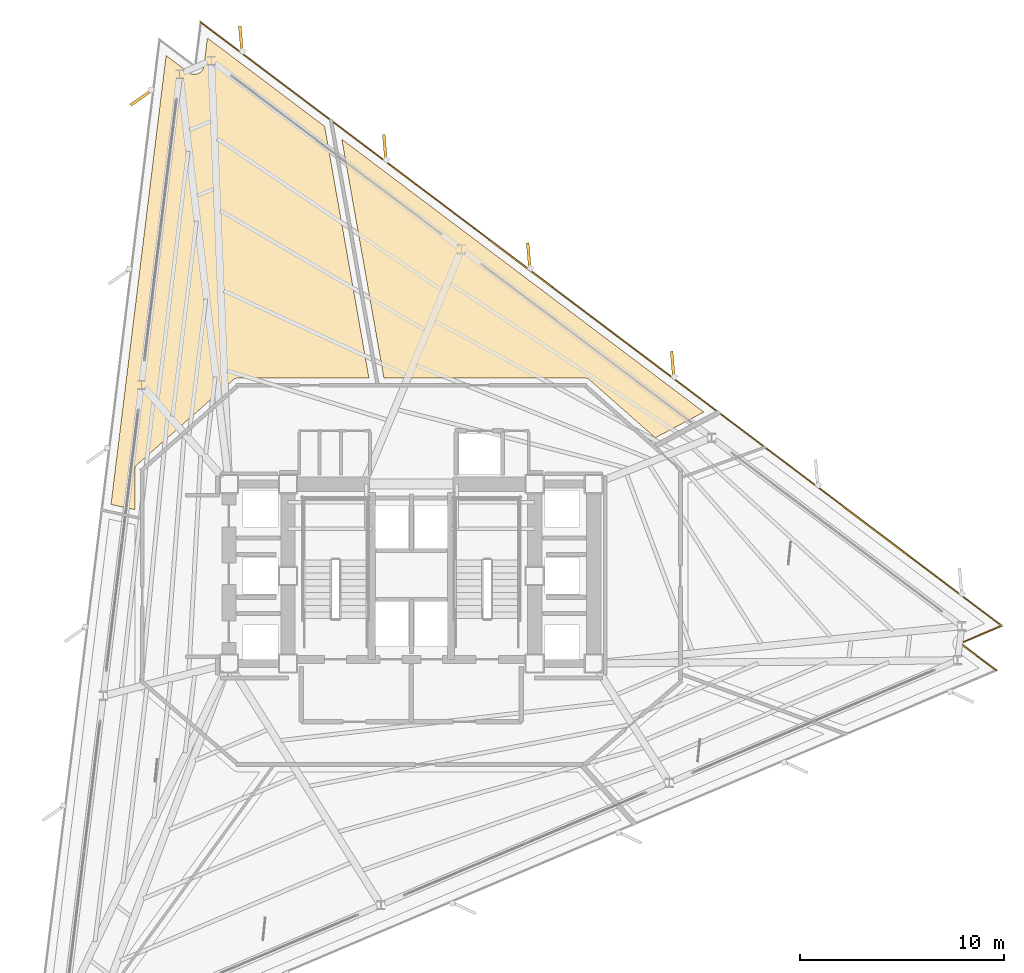
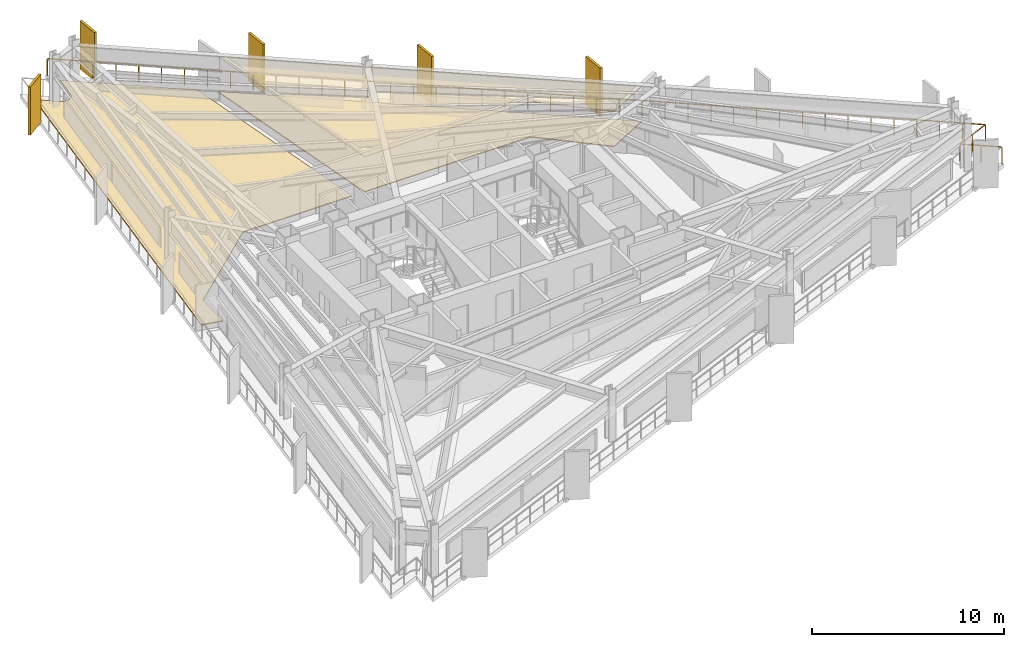
# One storey, part 13 of 13: 5 shading devices, 3 coverings, 1 railing.
"""IFC4 building model written with IfcOpenShell, lengths in metres."""

import ifcopenshell
import ifcopenshell.guid

model = None  # the IFC model being written
_history = None  # IfcOwnerHistory: only IFC2X3 demands one
_inside = {}  # id of a spatial element -> (the spatial element, [elements in it])
_under = {}  # id of a project, library or spatial element -> (it, [spatial elements below it])
_declared = {}  # id of a project -> (the project, [libraries it declares])
_typed = {}  # id of a type object -> (the type object, [elements of that type])
_made_of = {}  # id of a material, layer set ... -> (it, [elements and type objects made of it])


def new_model(schema):
    """Start an empty IFC model of exactly this schema.

    Asked for "IFC4X3", IfcOpenShell would pick the latest addendum, in which some entities
    have other attributes; the version numbers below select the first issue.
    IFC2X3 requires an IfcOwnerHistory on every rooted entity: one is made here for all.
    """
    global model, _history
    if schema == "IFC4X3":
        model = ifcopenshell.file(schema_version=(4, 3, 0, 0))
    else:
        model = ifcopenshell.file(schema=schema)
    _inside.clear()
    _under.clear()
    _declared.clear()
    _typed.clear()
    _made_of.clear()
    _history = None
    if model.schema == "IFC2X3":
        org = make("IfcOrganization", Name="unknown")
        user = make(
            "IfcPersonAndOrganization",
            ThePerson=make("IfcPerson", FamilyName="unknown"),
            TheOrganization=org,
        )
        app = make(
            "IfcApplication",
            ApplicationDeveloper=org,
            Version="unknown",
            ApplicationFullName="unknown",
            ApplicationIdentifier="unknown",
        )
        _history = make(
            "IfcOwnerHistory",
            OwningUser=user,
            OwningApplication=app,
            ChangeAction="ADDED",
            CreationDate=0,
        )
    return model


def make(cls, **values):
    """One entity of the class cls with the attributes given. An attribute that is None is left unset."""
    return model.create_entity(
        cls, **{name: value for name, value in values.items() if value is not None}
    )


def rooted(cls, **values):
    """An entity with a GlobalId (a new one), such as an element, a storey or a relation."""
    return make(cls, GlobalId=ifcopenshell.guid.new(), OwnerHistory=_history, **values)


def si_unit(unit_type, name, prefix=None):
    """IfcSIUnit, for example si_unit("LENGTHUNIT", "METRE", prefix="MILLI")."""
    return make("IfcSIUnit", UnitType=unit_type, Prefix=prefix, Name=name)


def assignment(units):
    """IfcUnitAssignment: the units of a project."""
    return None if units is None else make("IfcUnitAssignment", Units=units)


def point(xyz):
    """IfcCartesianPoint."""
    return None if xyz is None else make("IfcCartesianPoint", Coordinates=xyz)


def direction(xyz):
    """IfcDirection."""
    return None if xyz is None else make("IfcDirection", DirectionRatios=xyz)


def frame(location, z_axis=None, x_axis=None):
    """IfcAxis2Placement3D, a coordinate frame: its origin and axes. An axis left out is left unset."""
    return make(
        "IfcAxis2Placement3D",
        Location=point(location),
        Axis=direction(z_axis),
        RefDirection=direction(x_axis),
    )


def frame_2d(location, x_axis=None):
    """IfcAxis2Placement2D, a coordinate frame in the plane: its origin and x axis."""
    return make(
        "IfcAxis2Placement2D", Location=point(location), RefDirection=direction(x_axis)
    )


def origin():
    """The frame at (0, 0, 0) with its axes left unset."""
    return frame((0.0, 0.0, 0.0))


def origin_2d():
    """The frame at (0, 0) in the plane with its x axis left unset."""
    return frame_2d((0.0, 0.0))


def place(relative_to, where):
    """IfcLocalPlacement: puts the frame where relative to a parent placement (None: the world)."""
    return make(
        "IfcLocalPlacement", PlacementRelTo=relative_to, RelativePlacement=where
    )


def context(
    kind, dimensions, precision=None, world=None, true_north=None, identifier=None
):
    """IfcGeometricRepresentationContext, for example the 3D "Model" context."""
    return make(
        "IfcGeometricRepresentationContext",
        ContextIdentifier=identifier,
        ContextType=kind,
        CoordinateSpaceDimension=dimensions,
        Precision=precision,
        WorldCoordinateSystem=world,
        TrueNorth=true_north,
    )


def subcontext(parent, identifier, kind, view, scale=None):
    """IfcGeometricRepresentationSubContext, for example "Body" below "Model"."""
    return make(
        "IfcGeometricRepresentationSubContext",
        ContextIdentifier=identifier,
        ContextType=kind,
        ParentContext=parent,
        TargetScale=scale,
        TargetView=view,
    )


def project(units=None, contexts=None):
    """IfcProject with its units and contexts."""
    return rooted(
        "IfcProject",
        Name="project",
        RepresentationContexts=contexts,
        UnitsInContext=assignment(units),
    )


def spatial(cls, under=None, at=None, **own):
    """A site, building, storey or space (cls), placed at a placement, below another one or the project."""
    s = rooted(cls, ObjectPlacement=at, **own)
    if under is not None:
        _under.setdefault(under.id(), (under, []))[1].append(s)
    return s


def polyline(points):
    """IfcPolyline through the points."""
    return make("IfcPolyline", Points=[point(p) for p in points])


def profile(cls, at=None, kind="AREA", **sizes):
    """A parametric profile (cls). Its sizes go by their IFC names, for example OverallWidth=200.0."""
    return make(cls, ProfileType=kind, Position=at, **sizes)


def rectangle(**sizes):
    """IfcRectangleProfileDef."""
    return profile("IfcRectangleProfileDef", **sizes)


def outline(outer, holes=None, kind="AREA"):
    """IfcArbitraryClosedProfileDef: a profile drawn as a closed curve; with holes, ...WithVoids."""
    if holes is None:
        return make("IfcArbitraryClosedProfileDef", ProfileType=kind, OuterCurve=outer)
    return make(
        "IfcArbitraryProfileDefWithVoids",
        ProfileType=kind,
        OuterCurve=outer,
        InnerCurves=holes,
    )


def extrude(swept, where, along, depth):
    """IfcExtrudedAreaSolid: the profile swept, set in the frame where, extruded along a direction by depth."""
    return make(
        "IfcExtrudedAreaSolid",
        SweptArea=swept,
        Position=where,
        ExtrudedDirection=direction(along),
        Depth=depth,
    )


def shape(context_of_items, identifier, shape_type, items):
    """IfcShapeRepresentation: the items that make up one representation, for example the "Body"."""
    return make(
        "IfcShapeRepresentation",
        ContextOfItems=context_of_items,
        RepresentationIdentifier=identifier,
        RepresentationType=shape_type,
        Items=items,
    )


def material(Name=None, Category=None):
    """IfcMaterial."""
    return make("IfcMaterial", Name=Name, Category=Category)


def layer(
    of_material, thickness, ventilated=None, Name=None, Category=None, Priority=None
):
    """IfcMaterialLayer: one layer of a wall or slab, of a material (None: an air gap)."""
    return make(
        "IfcMaterialLayer",
        Material=of_material,
        LayerThickness=thickness,
        IsVentilated=ventilated,
        Name=Name,
        Category=Category,
        Priority=Priority,
    )


def layer_set(layers, Name=None):
    """IfcMaterialLayerSet."""
    return make("IfcMaterialLayerSet", MaterialLayers=layers, LayerSetName=Name)


def made_of(thing, what):
    """Note that an element or type object is made of a material, layer set ...; save() writes the relation."""
    if what is not None:
        _made_of.setdefault(what.id(), (what, []))[1].append(thing)
    return thing


def type_object(cls, material=None, **own):
    """A type object (cls), such as IfcWallType, which elements share."""
    return made_of(rooted(cls, **own), material)


def element(
    cls,
    number,
    at=None,
    inside=None,
    cuts=None,
    type_object=None,
    material=None,
    context=None,
    identifier="Body",
    shape_type=None,
    held_by="IfcProductDefinitionShape",
    body=None,
    shapes=None,
    **own,
):
    """One element of the class cls, such as IfcWall. Its Tag is "e" and its number.

    at: its placement. inside: the storey or other place that contains it. cuts: it is an
    opening in that element (IfcRelVoidsElement). A single representation is given by context,
    identifier, shape_type and body (its items); several are given by shapes. held_by: the class
    of the entity that holds the representations. save() writes the other relations.
    """
    e = rooted(cls, Tag="e%d" % number, ObjectPlacement=at, **own)
    if body is not None:
        shapes = [shape(context, identifier, shape_type, body)]
    if shapes is not None:
        e.Representation = make(held_by, Representations=shapes)
    if inside is not None:
        _inside.setdefault(inside.id(), (inside, []))[1].append(e)
    if cuts is not None:
        rooted(
            "IfcRelVoidsElement", RelatingBuildingElement=cuts, RelatedOpeningElement=e
        )
    if type_object is not None:
        _typed.setdefault(type_object.id(), (type_object, []))[1].append(e)
    return made_of(e, material)


def aggregate(whole, parts):
    """IfcRelAggregates: a whole, such as a stair, and the parts it consists of."""
    return rooted("IfcRelAggregates", RelatingObject=whole, RelatedObjects=parts)


def save(model, path):
    """Write the relations noted so far, then the file.

    IfcRelAggregates (storeys below a building ...), IfcRelContainedInSpatialStructure (elements
    in a storey), IfcRelDefinesByType, IfcRelAssociatesMaterial and IfcRelDeclares: one each for
    every whole, place, type object, material and project.
    """
    for whole, parts in _under.values():
        aggregate(whole, parts)
    for where, things in _inside.values():
        rooted(
            "IfcRelContainedInSpatialStructure",
            RelatedElements=things,
            RelatingStructure=where,
        )
    for kind, things in _typed.values():
        rooted("IfcRelDefinesByType", RelatedObjects=things, RelatingType=kind)
    for what, things in _made_of.values():
        rooted("IfcRelAssociatesMaterial", RelatedObjects=things, RelatingMaterial=what)
    for by, libraries in _declared.values():
        rooted("IfcRelDeclares", RelatingContext=by, RelatedDefinitions=libraries)
    model.write(path)


model = new_model("IFC4")

# Units and contexts
model_context = context("Model", 3, precision=1e-05, world=origin(), true_north=direction((0.0, 1.0)))
body_context = subcontext(model_context, "Body", "Model", "MODEL_VIEW")
ifc_project = project(units=[si_unit("LENGTHUNIT", "METRE"), si_unit("AREAUNIT", "SQUARE_METRE"), si_unit("VOLUMEUNIT", "CUBIC_METRE"), si_unit("PLANEANGLEUNIT", "RADIAN"), si_unit("MASSUNIT", "GRAM", prefix="KILO")], contexts=[model_context])

# Site, building, storey
site_placement = place(None, origin())
site = spatial("IfcSite", under=ifc_project, at=site_placement, CompositionType="ELEMENT")
building_placement = place(site_placement, origin())
building = spatial("IfcBuilding", under=site, at=building_placement, Name="Rocaltana Carrier Exchange", CompositionType="ELEMENT")
storey_placement = place(building_placement, frame((0.0, 0.0, 73.1201171875)))
storey = spatial("IfcBuildingStorey", under=building, at=storey_placement, Name="L22", CompositionType="ELEMENT", Elevation=73.1201171875)

# Coverings
ifc_material_1 = material(Name="Calcium Sulphate & Aluminium Pedestal", Category="aluminium")
ifc_layer_1 = layer(ifc_material_1, 0.06005859375)
ifc_layer_set_1 = layer_set([ifc_layer_1], Name="Calcium Sulphate & Aluminium Pedestal")
covering_type_1 = type_object("IfcCoveringType", Name="Anti-Static Raised Exchange Access Floor 60", PredefinedType="FLOORING", material=ifc_layer_set_1)
covering_1_placement = place(storey_placement, origin())
element("IfcCovering", 1, at=covering_1_placement, inside=storey, type_object=covering_type_1, Name="L22 Network Operations Office Finish Floor", PredefinedType="FLOORING", context=body_context, shape_type="SweptSolid", body=[
    extrude(outline(polyline([(14.345703125, 8.035400390625), (11.9658203125, 6.77001953125), (8.73828125, 9.619873046875), (8.727294921875, 9.629150390625), (8.720703125, 9.63427734375), (8.697265625, 9.651123046875), (8.690185546875, 9.655517578125), (8.6650390625, 9.669921875), (8.65771484375, 9.673583984375), (8.631103515625, 9.68505859375), (8.62353515625, 9.68798828125), (8.595947265625, 9.697021484375), (8.587890625, 9.698974609375), (8.5595703125, 9.704833984375), (8.551513671875, 9.706298828125), (8.522705078125, 9.709228515625), (8.514404296875, 9.709716796875), (8.5, 9.7099609375), (-1.3466796875, 9.7099609375), (-3.41064453125, 21.41552734375), (14.345703125, 8.035400390625)])), origin(), (0.0, 0.0, 1.0), 0.059814453125),
])
covering_2_placement = place(storey_placement, origin())
element("IfcCovering", 2, at=covering_2_placement, inside=storey, type_object=covering_type_1, Name="L22 Quiet Focus Lounge Finish Floor", PredefinedType="FLOORING", context=body_context, shape_type="SweptSolid", body=[
    extrude(outline(polyline([(-12.02978515625, 25.52490234375), (-10.936767578125, 24.701416015625), (-10.92529296875, 24.693115234375), (-10.90869140625, 24.681884765625), (-10.885009765625, 24.66748046875), (-10.867431640625, 24.657958984375), (-10.84228515625, 24.64599609375), (-10.823974609375, 24.63818359375), (-10.797607421875, 24.628662109375), (-10.778564453125, 24.622802734375), (-10.75146484375, 24.6162109375), (-10.73193359375, 24.6123046875), (-10.704345703125, 24.608154296875), (-10.6845703125, 24.606201171875), (-10.656494140625, 24.604736328125), (-10.63671875, 24.60498046875), (-10.60888671875, 24.606201171875), (-10.5888671875, 24.6083984375), (-10.561279296875, 24.612548828125), (-10.541748046875, 24.61669921875), (-10.514892578125, 24.62353515625), (-10.49560546875, 24.62939453125), (-10.469482421875, 24.63916015625), (-10.451171875, 24.64697265625), (-10.426025390625, 24.6591796875), (-10.40869140625, 24.668701171875), (-10.384765625, 24.683349609375), (-10.368408203125, 24.694580078125), (-10.34619140625, 24.71142578125), (-10.330810546875, 24.724365234375), (-10.310546875, 24.743408203125), (-10.296630859375, 24.757568359375), (-10.2783203125, 24.778564453125), (-10.265869140625, 24.794189453125), (-10.24951171875, 24.81689453125), (-10.23876953125, 24.833740234375), (-10.224853515625, 24.85791015625), (-10.2158203125, 24.875732421875), (-10.204345703125, 24.901123046875), (-10.197265625, 24.919677734375), (-10.188232421875, 24.9462890625), (-10.18310546875, 24.96533203125), (-10.1767578125, 24.99267578125), (-10.17333984375, 25.01220703125), (-10.17138671875, 25.026123046875), (-10.004638671875, 26.384521484375), (-4.253662109375, 22.05078125), (-2.07763671875, 9.7099609375), (-8.5, 9.7099609375), (-8.514404296875, 9.709716796875), (-8.522705078125, 9.709228515625), (-8.551513671875, 9.706298828125), (-8.5595703125, 9.704833984375), (-8.587890625, 9.698974609375), (-8.595947265625, 9.697021484375), (-8.62353515625, 9.68798828125), (-8.631103515625, 9.68505859375), (-8.65771484375, 9.673583984375), (-8.6650390625, 9.669921875), (-8.690185546875, 9.655517578125), (-8.697265625, 9.651123046875), (-8.720703125, 9.63427734375), (-8.727294921875, 9.629150390625), (-8.73828125, 9.619873046875), (-13.438232421875, 5.469970703125), (-13.447998046875, 5.4609375), (-13.453369140625, 5.455810546875), (-13.471435546875, 5.436279296875), (-13.476318359375, 5.4306640625), (-13.492431640625, 5.409912109375), (-13.49658203125, 5.40380859375), (-13.5107421875, 5.38134765625), (-13.5146484375, 5.375), (-13.526611328125, 5.351318359375), (-13.529541015625, 5.344482421875), (-13.539306640625, 5.320068359375), (-13.541748046875, 5.31298828125), (-13.549072265625, 5.28759765625), (-13.55078125, 5.2802734375), (-13.555908203125, 5.25439453125), (-13.556884765625, 5.246826171875), (-13.559326171875, 5.220703125), (-13.559814453125, 5.213134765625), (-13.56005859375, 5.199951171875), (-13.56005859375, 3.250244140625), (-14.73388671875, 3.5), (-12.02978515625, 25.52490234375)])), origin(), (0.0, 0.0, 1.0), 0.059814453125),
])
ifc_material_2 = material(Name="Mineral Fibre & Powder-Coated Aluminium", Category="aluminium")
ifc_layer_2 = layer(ifc_material_2, 0.044921875)
ifc_layer_set_2 = layer_set([ifc_layer_2], Name="Mineral Fibre & Powder-Coated Aluminium")
covering_type_2 = type_object("IfcCoveringType", Name="Micro-Perforated Acoustic Ceiling 45", PredefinedType="CEILING", material=ifc_layer_set_2)
covering_3_placement = place(storey_placement, frame((0.0, 0.0, 2.242919921875)))
element("IfcCovering", 3, at=covering_3_placement, inside=storey, type_object=covering_type_2, Name="L22 Network Operations Office Acoustic Ceiling", PredefinedType="CEILING", context=body_context, shape_type="SweptSolid", body=[
    extrude(outline(polyline([(14.345703125, 8.035400390625), (11.9658203125, 6.77001953125), (8.73828125, 9.619873046875), (8.727294921875, 9.629150390625), (8.720703125, 9.63427734375), (8.697265625, 9.651123046875), (8.690185546875, 9.655517578125), (8.6650390625, 9.669921875), (8.65771484375, 9.673583984375), (8.631103515625, 9.68505859375), (8.62353515625, 9.68798828125), (8.595947265625, 9.697021484375), (8.587890625, 9.698974609375), (8.5595703125, 9.704833984375), (8.551513671875, 9.706298828125), (8.522705078125, 9.709228515625), (8.514404296875, 9.709716796875), (8.5, 9.7099609375), (-1.3466796875, 9.7099609375), (-3.41064453125, 21.41552734375), (14.345703125, 8.035400390625)])), origin(), (0.0, 0.0, 1.0), 0.044921875),
])

# Shading devices
ifc_material_3 = material(Name="Honed Bogota Sandstone & Concrete C45/55", Category="masonry")
ifc_layer_3 = layer(ifc_material_3, 0.139892578125)
ifc_layer_set_3 = layer_set([ifc_layer_3], Name="Honed Bogota Sandstone & Concrete C45/55")
shading_device_type = type_object("IfcShadingDeviceType", Name="Vertical Sandstone Shading Fin 1320x140", PredefinedType="USERDEFINED", material=ifc_layer_set_3)
for number, where, z_axis, x_axis, name in (
    (4, (12.822509765625, 10.361083984375, -0.1201171875), (0.0, 0.0, 1.0), (-0.087155742748, 0.996194698092, 0.0), "L22 Sandstone Vertical Fin F1-03"),
    (5, (5.7626953125, 15.680908203125, -0.1201171875), (0.0, 0.0, 1.0), (-0.087155742748, 0.996194698092, 0.0), "L22 Sandstone Vertical Fin F1-04"),
    (6, (-1.29736328125, 21.001220703125, -0.1201171875), (0.0, 0.0, 1.0), (-0.087155742748, 0.996194698092, 0.0), "L22 Sandstone Vertical Fin F1-05"),
    (7, (-8.357421875, 26.321044921875, -0.1201171875), (0.0, 0.0, 1.0), (-0.087155742748, 0.996194698092, 0.0), "L22 Sandstone Vertical Fin F1-06"),
    (8, (-13.2294921875, 23.472412109375, -0.1201171875), (0.0, 0.0, 1.0), (-0.819152044289, -0.573576436351, 0.0), "L22 Sandstone Vertical Fin F2-01"),
):
    element("IfcShadingDevice", number, at=place(storey_placement, frame(where, z_axis=z_axis, x_axis=x_axis)), inside=storey, type_object=shading_device_type, Name=name, ObjectType="FIN", PredefinedType="USERDEFINED", context=body_context, shape_type="SweptSolid", body=[
        extrude(rectangle(XDim=1.320068359375, YDim=0.139892578125, at=origin_2d()), origin(), (0.0, 0.0, 1.0), 3.05810546875),
    ])

# Railing
ifc_material_4 = material(Name="Powder-Coated Aluminium 6063-T6", Category="aluminium")
ifc_layer_4 = layer(ifc_material_4, 0.06005859375)
ifc_layer_set_4 = layer_set([ifc_layer_4], Name="Powder-Coated Aluminium 6063-T6")
railing_type = type_object("IfcRailingType", Name="Wind-Floor & Terrace Perimeter Guardrail 1100", PredefinedType="GUARDRAIL", material=ifc_layer_set_4)
railing_placement = place(storey_placement, frame((-10.332763671875, 27.15771484375, 0.0)))
element("IfcRailing", 9, at=railing_placement, inside=storey, type_object=railing_type, Name="L22 Perimeter Balcony Guardrail 3", PredefinedType="GUARDRAIL", context=body_context, shape_type="SweptSolid", body=[
    extrude(rectangle(XDim=0.048095703125, YDim=0.048095703125, at=origin_2d()), frame((0.0, 0.0, 1.076171875), z_axis=(0.798636489562, -0.60181372329, 0.0), x_axis=(0.60181372329, 0.798636489562, 0.0)), (0.0, 0.0, 1.0), 49.192138671875),
    extrude(rectangle(XDim=0.048095703125, YDim=0.048095703125, at=origin_2d()), frame((39.28662109375, -29.6044921875, 1.076171875), z_axis=(-0.92050559585, -0.390729379504, 0.0), x_axis=(0.390729379504, -0.92050559585, 0.0)), (0.0, 0.0, 1.0), 2.199951171875),
    extrude(rectangle(XDim=0.048095703125, YDim=0.048095703125, at=origin_2d()), frame((37.261474609375, -30.464111328125, 1.076171875), z_axis=(0.798653030423, -0.601791772125, 0.0), x_axis=(0.601791772125, 0.798653030423, 0.0)), (0.0, 0.0, 1.0), 2.199951171875),
    extrude(rectangle(XDim=0.0419921875, YDim=0.0419921875, at=origin_2d()), origin(), (0.0, 0.0, 1.0), 1.052001953125),
    extrude(rectangle(XDim=0.0419921875, YDim=0.0419921875, at=origin_2d()), frame((0.958251953125, -0.72216796875, 0.0)), (0.0, 0.0, 1.0), 1.052001953125),
    extrude(rectangle(XDim=0.0419921875, YDim=0.0419921875, at=origin_2d()), frame((1.91650390625, -1.444091796875, 0.0)), (0.0, 0.0, 1.0), 1.052001953125),
    extrude(rectangle(XDim=0.0419921875, YDim=0.0419921875, at=origin_2d()), frame((2.87451171875, -2.166259765625, 0.0)), (0.0, 0.0, 1.0), 1.052001953125),
    extrude(rectangle(XDim=0.0419921875, YDim=0.0419921875, at=origin_2d()), frame((3.832763671875, -2.88818359375, 0.0)), (0.0, 0.0, 1.0), 1.052001953125),
    extrude(rectangle(XDim=0.0419921875, YDim=0.0419921875, at=origin_2d()), frame((4.791015625, -3.6103515625, 0.0)), (0.0, 0.0, 1.0), 1.052001953125),
    extrude(rectangle(XDim=0.0419921875, YDim=0.0419921875, at=origin_2d()), frame((5.749267578125, -4.332275390625, 0.0)), (0.0, 0.0, 1.0), 1.052001953125),
    extrude(rectangle(XDim=0.0419921875, YDim=0.0419921875, at=origin_2d()), frame((6.70751953125, -5.054443359375, 0.0)), (0.0, 0.0, 1.0), 1.052001953125),
    extrude(rectangle(XDim=0.0419921875, YDim=0.0419921875, at=origin_2d()), frame((7.665771484375, -5.7763671875, 0.0)), (0.0, 0.0, 1.0), 1.052001953125),
    extrude(rectangle(XDim=0.0419921875, YDim=0.0419921875, at=origin_2d()), frame((8.623779296875, -6.49853515625, 0.0)), (0.0, 0.0, 1.0), 1.052001953125),
    extrude(rectangle(XDim=0.0419921875, YDim=0.0419921875, at=origin_2d()), frame((9.58203125, -7.220703125, 0.0)), (0.0, 0.0, 1.0), 1.052001953125),
    extrude(rectangle(XDim=0.0419921875, YDim=0.0419921875, at=origin_2d()), frame((10.540283203125, -7.942626953125, 0.0)), (0.0, 0.0, 1.0), 1.052001953125),
    extrude(rectangle(XDim=0.0419921875, YDim=0.0419921875, at=origin_2d()), frame((11.49853515625, -8.664794921875, 0.0)), (0.0, 0.0, 1.0), 1.052001953125),
    extrude(rectangle(XDim=0.0419921875, YDim=0.0419921875, at=origin_2d()), frame((12.456787109375, -9.38671875, 0.0)), (0.0, 0.0, 1.0), 1.052001953125),
    extrude(rectangle(XDim=0.0419921875, YDim=0.0419921875, at=origin_2d()), frame((13.4150390625, -10.10888671875, 0.0)), (0.0, 0.0, 1.0), 1.052001953125),
    extrude(rectangle(XDim=0.0419921875, YDim=0.0419921875, at=origin_2d()), frame((14.373046875, -10.830810546875, 0.0)), (0.0, 0.0, 1.0), 1.052001953125),
    extrude(rectangle(XDim=0.0419921875, YDim=0.0419921875, at=origin_2d()), frame((15.331298828125, -11.552978515625, 0.0)), (0.0, 0.0, 1.0), 1.052001953125),
    extrude(rectangle(XDim=0.0419921875, YDim=0.0419921875, at=origin_2d()), frame((16.28955078125, -12.275146484375, 0.0)), (0.0, 0.0, 1.0), 1.052001953125),
    extrude(rectangle(XDim=0.0419921875, YDim=0.0419921875, at=origin_2d()), frame((17.247802734375, -12.9970703125, 0.0)), (0.0, 0.0, 1.0), 1.052001953125),
    extrude(rectangle(XDim=0.0419921875, YDim=0.0419921875, at=origin_2d()), frame((18.2060546875, -13.71923828125, 0.0)), (0.0, 0.0, 1.0), 1.052001953125),
    extrude(rectangle(XDim=0.0419921875, YDim=0.0419921875, at=origin_2d()), frame((19.164306640625, -14.441162109375, 0.0)), (0.0, 0.0, 1.0), 1.052001953125),
    extrude(rectangle(XDim=0.0419921875, YDim=0.0419921875, at=origin_2d()), frame((20.122314453125, -15.163330078125, 0.0)), (0.0, 0.0, 1.0), 1.052001953125),
    extrude(rectangle(XDim=0.0419921875, YDim=0.0419921875, at=origin_2d()), frame((21.08056640625, -15.88525390625, 0.0)), (0.0, 0.0, 1.0), 1.052001953125),
    extrude(rectangle(XDim=0.0419921875, YDim=0.0419921875, at=origin_2d()), frame((22.038818359375, -16.607421875, 0.0)), (0.0, 0.0, 1.0), 1.052001953125),
    extrude(rectangle(XDim=0.0419921875, YDim=0.0419921875, at=origin_2d()), frame((22.9970703125, -17.329345703125, 0.0)), (0.0, 0.0, 1.0), 1.052001953125),
    extrude(rectangle(XDim=0.0419921875, YDim=0.0419921875, at=origin_2d()), frame((23.955322265625, -18.051513671875, 0.0)), (0.0, 0.0, 1.0), 1.052001953125),
    extrude(rectangle(XDim=0.0419921875, YDim=0.0419921875, at=origin_2d()), frame((24.91357421875, -18.773681640625, 0.0)), (0.0, 0.0, 1.0), 1.052001953125),
    extrude(rectangle(XDim=0.0419921875, YDim=0.0419921875, at=origin_2d()), frame((25.87158203125, -19.49560546875, 0.0)), (0.0, 0.0, 1.0), 1.052001953125),
    extrude(rectangle(XDim=0.0419921875, YDim=0.0419921875, at=origin_2d()), frame((26.829833984375, -20.2177734375, 0.0)), (0.0, 0.0, 1.0), 1.052001953125),
    extrude(rectangle(XDim=0.0419921875, YDim=0.0419921875, at=origin_2d()), frame((27.7880859375, -20.939697265625, 0.0)), (0.0, 0.0, 1.0), 1.052001953125),
    extrude(rectangle(XDim=0.0419921875, YDim=0.0419921875, at=origin_2d()), frame((28.746337890625, -21.661865234375, 0.0)), (0.0, 0.0, 1.0), 1.052001953125),
    extrude(rectangle(XDim=0.0419921875, YDim=0.0419921875, at=origin_2d()), frame((29.70458984375, -22.3837890625, 0.0)), (0.0, 0.0, 1.0), 1.052001953125),
    extrude(rectangle(XDim=0.0419921875, YDim=0.0419921875, at=origin_2d()), frame((30.662841796875, -23.10595703125, 0.0)), (0.0, 0.0, 1.0), 1.052001953125),
    extrude(rectangle(XDim=0.0419921875, YDim=0.0419921875, at=origin_2d()), frame((31.620849609375, -23.828125, 0.0)), (0.0, 0.0, 1.0), 1.052001953125),
    extrude(rectangle(XDim=0.0419921875, YDim=0.0419921875, at=origin_2d()), frame((32.5791015625, -24.550048828125, 0.0)), (0.0, 0.0, 1.0), 1.052001953125),
    extrude(rectangle(XDim=0.0419921875, YDim=0.0419921875, at=origin_2d()), frame((33.537353515625, -25.272216796875, 0.0)), (0.0, 0.0, 1.0), 1.052001953125),
    extrude(rectangle(XDim=0.0419921875, YDim=0.0419921875, at=origin_2d()), frame((34.49560546875, -25.994140625, 0.0)), (0.0, 0.0, 1.0), 1.052001953125),
    extrude(rectangle(XDim=0.0419921875, YDim=0.0419921875, at=origin_2d()), frame((35.453857421875, -26.71630859375, 0.0)), (0.0, 0.0, 1.0), 1.052001953125),
    extrude(rectangle(XDim=0.0419921875, YDim=0.0419921875, at=origin_2d()), frame((36.412109375, -27.438232421875, 0.0)), (0.0, 0.0, 1.0), 1.052001953125),
    extrude(rectangle(XDim=0.0419921875, YDim=0.0419921875, at=origin_2d()), frame((37.3701171875, -28.160400390625, 0.0)), (0.0, 0.0, 1.0), 1.052001953125),
    extrude(rectangle(XDim=0.0419921875, YDim=0.0419921875, at=origin_2d()), frame((38.328369140625, -28.88232421875, 0.0)), (0.0, 0.0, 1.0), 1.052001953125),
    extrude(rectangle(XDim=0.0419921875, YDim=0.0419921875, at=origin_2d()), frame((39.28662109375, -29.6044921875, 0.0)), (0.0, 0.0, 1.0), 1.052001953125),
    extrude(rectangle(XDim=0.0419921875, YDim=0.0419921875, at=origin_2d()), frame((38.27392578125, -30.0341796875, 0.0)), (0.0, 0.0, 1.0), 1.052001953125),
    extrude(rectangle(XDim=0.0419921875, YDim=0.0419921875, at=origin_2d()), frame((37.261474609375, -30.464111328125, 0.0)), (0.0, 0.0, 1.0), 1.052001953125),
    extrude(rectangle(XDim=0.0419921875, YDim=0.0419921875, at=origin_2d()), frame((38.14013671875, -31.1259765625, 0.0)), (0.0, 0.0, 1.0), 1.052001953125),
    extrude(rectangle(XDim=0.0419921875, YDim=0.0419921875, at=origin_2d()), frame((39.0185546875, -31.7880859375, 0.0)), (0.0, 0.0, 1.0), 1.052001953125),
])

save(model, "model.ifc")
